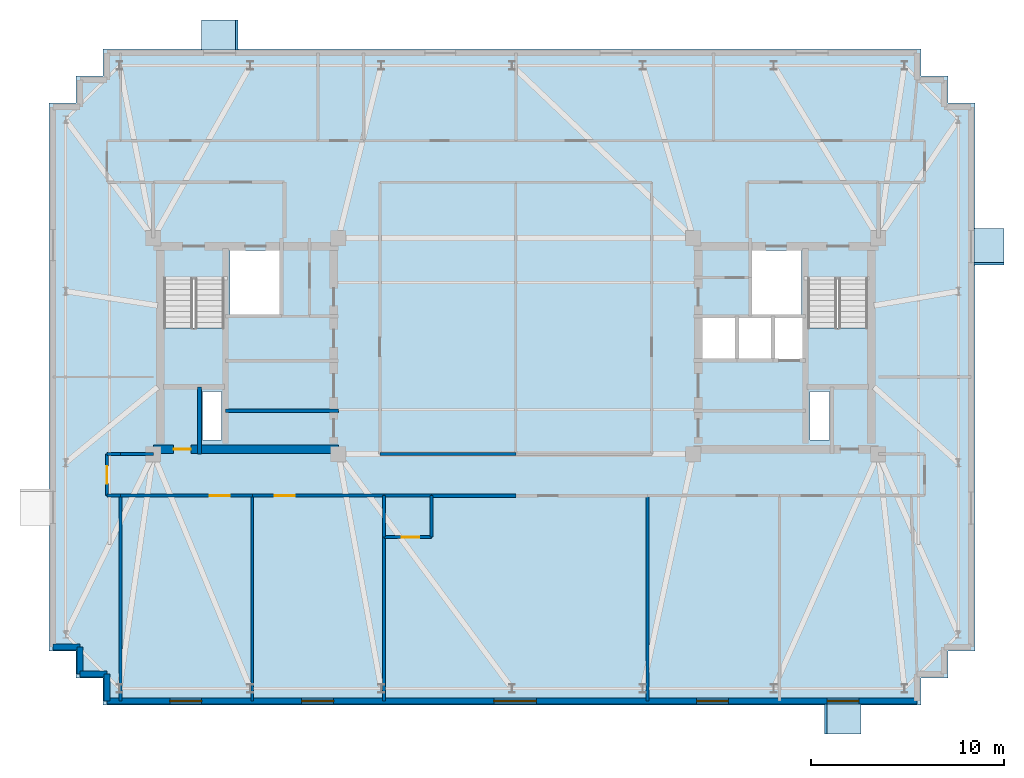
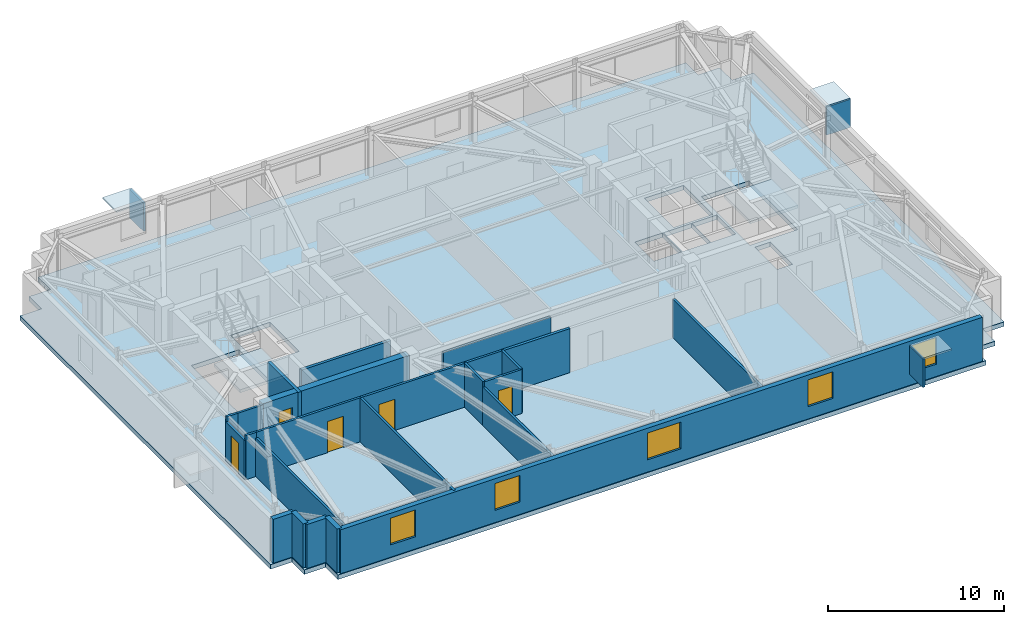
# One storey, part 5 of 10: 24 walls, 6 plates, 5 doors, 5 windows, 3 slabs, 10 openings, 2 elements without a shape of their own.
"""IFC4 building model written with IfcOpenShell, lengths in metres."""

import ifcopenshell
import ifcopenshell.guid

model = None  # the IFC model being written
_history = None  # IfcOwnerHistory: only IFC2X3 demands one
_inside = {}  # id of a spatial element -> (the spatial element, [elements in it])
_under = {}  # id of a project, library or spatial element -> (it, [spatial elements below it])
_declared = {}  # id of a project -> (the project, [libraries it declares])
_typed = {}  # id of a type object -> (the type object, [elements of that type])
_made_of = {}  # id of a material, layer set ... -> (it, [elements and type objects made of it])


def new_model(schema):
    """Start an empty IFC model of exactly this schema.

    Asked for "IFC4X3", IfcOpenShell would pick the latest addendum, in which some entities
    have other attributes; the version numbers below select the first issue.
    IFC2X3 requires an IfcOwnerHistory on every rooted entity: one is made here for all.
    """
    global model, _history
    if schema == "IFC4X3":
        model = ifcopenshell.file(schema_version=(4, 3, 0, 0))
    else:
        model = ifcopenshell.file(schema=schema)
    _inside.clear()
    _under.clear()
    _declared.clear()
    _typed.clear()
    _made_of.clear()
    _history = None
    if model.schema == "IFC2X3":
        org = make("IfcOrganization", Name="unknown")
        user = make(
            "IfcPersonAndOrganization",
            ThePerson=make("IfcPerson", FamilyName="unknown"),
            TheOrganization=org,
        )
        app = make(
            "IfcApplication",
            ApplicationDeveloper=org,
            Version="unknown",
            ApplicationFullName="unknown",
            ApplicationIdentifier="unknown",
        )
        _history = make(
            "IfcOwnerHistory",
            OwningUser=user,
            OwningApplication=app,
            ChangeAction="ADDED",
            CreationDate=0,
        )
    return model


def make(cls, **values):
    """One entity of the class cls with the attributes given. An attribute that is None is left unset."""
    return model.create_entity(
        cls, **{name: value for name, value in values.items() if value is not None}
    )


def rooted(cls, **values):
    """An entity with a GlobalId (a new one), such as an element, a storey or a relation."""
    return make(cls, GlobalId=ifcopenshell.guid.new(), OwnerHistory=_history, **values)


def si_unit(unit_type, name, prefix=None):
    """IfcSIUnit, for example si_unit("LENGTHUNIT", "METRE", prefix="MILLI")."""
    return make("IfcSIUnit", UnitType=unit_type, Prefix=prefix, Name=name)


def assignment(units):
    """IfcUnitAssignment: the units of a project."""
    return None if units is None else make("IfcUnitAssignment", Units=units)


def point(xyz):
    """IfcCartesianPoint."""
    return None if xyz is None else make("IfcCartesianPoint", Coordinates=xyz)


def direction(xyz):
    """IfcDirection."""
    return None if xyz is None else make("IfcDirection", DirectionRatios=xyz)


def frame(location, z_axis=None, x_axis=None):
    """IfcAxis2Placement3D, a coordinate frame: its origin and axes. An axis left out is left unset."""
    return make(
        "IfcAxis2Placement3D",
        Location=point(location),
        Axis=direction(z_axis),
        RefDirection=direction(x_axis),
    )


def frame_2d(location, x_axis=None):
    """IfcAxis2Placement2D, a coordinate frame in the plane: its origin and x axis."""
    return make(
        "IfcAxis2Placement2D", Location=point(location), RefDirection=direction(x_axis)
    )


def origin():
    """The frame at (0, 0, 0) with its axes left unset."""
    return frame((0.0, 0.0, 0.0))


def origin_2d():
    """The frame at (0, 0) in the plane with its x axis left unset."""
    return frame_2d((0.0, 0.0))


def place(relative_to, where):
    """IfcLocalPlacement: puts the frame where relative to a parent placement (None: the world)."""
    return make(
        "IfcLocalPlacement", PlacementRelTo=relative_to, RelativePlacement=where
    )


def context(
    kind, dimensions, precision=None, world=None, true_north=None, identifier=None
):
    """IfcGeometricRepresentationContext, for example the 3D "Model" context."""
    return make(
        "IfcGeometricRepresentationContext",
        ContextIdentifier=identifier,
        ContextType=kind,
        CoordinateSpaceDimension=dimensions,
        Precision=precision,
        WorldCoordinateSystem=world,
        TrueNorth=true_north,
    )


def subcontext(parent, identifier, kind, view, scale=None):
    """IfcGeometricRepresentationSubContext, for example "Body" below "Model"."""
    return make(
        "IfcGeometricRepresentationSubContext",
        ContextIdentifier=identifier,
        ContextType=kind,
        ParentContext=parent,
        TargetScale=scale,
        TargetView=view,
    )


def project(units=None, contexts=None):
    """IfcProject with its units and contexts."""
    return rooted(
        "IfcProject",
        Name="project",
        RepresentationContexts=contexts,
        UnitsInContext=assignment(units),
    )


def spatial(cls, under=None, at=None, **own):
    """A site, building, storey or space (cls), placed at a placement, below another one or the project."""
    s = rooted(cls, ObjectPlacement=at, **own)
    if under is not None:
        _under.setdefault(under.id(), (under, []))[1].append(s)
    return s


def polyline(points):
    """IfcPolyline through the points."""
    return make("IfcPolyline", Points=[point(p) for p in points])


def profile(cls, at=None, kind="AREA", **sizes):
    """A parametric profile (cls). Its sizes go by their IFC names, for example OverallWidth=200.0."""
    return make(cls, ProfileType=kind, Position=at, **sizes)


def rectangle(**sizes):
    """IfcRectangleProfileDef."""
    return profile("IfcRectangleProfileDef", **sizes)


def outline(outer, holes=None, kind="AREA"):
    """IfcArbitraryClosedProfileDef: a profile drawn as a closed curve; with holes, ...WithVoids."""
    if holes is None:
        return make("IfcArbitraryClosedProfileDef", ProfileType=kind, OuterCurve=outer)
    return make(
        "IfcArbitraryProfileDefWithVoids",
        ProfileType=kind,
        OuterCurve=outer,
        InnerCurves=holes,
    )


def extrude(swept, where, along, depth):
    """IfcExtrudedAreaSolid: the profile swept, set in the frame where, extruded along a direction by depth."""
    return make(
        "IfcExtrudedAreaSolid",
        SweptArea=swept,
        Position=where,
        ExtrudedDirection=direction(along),
        Depth=depth,
    )


def shape(context_of_items, identifier, shape_type, items):
    """IfcShapeRepresentation: the items that make up one representation, for example the "Body"."""
    return make(
        "IfcShapeRepresentation",
        ContextOfItems=context_of_items,
        RepresentationIdentifier=identifier,
        RepresentationType=shape_type,
        Items=items,
    )


def material(Name=None, Category=None):
    """IfcMaterial."""
    return make("IfcMaterial", Name=Name, Category=Category)


def layer(
    of_material, thickness, ventilated=None, Name=None, Category=None, Priority=None
):
    """IfcMaterialLayer: one layer of a wall or slab, of a material (None: an air gap)."""
    return make(
        "IfcMaterialLayer",
        Material=of_material,
        LayerThickness=thickness,
        IsVentilated=ventilated,
        Name=Name,
        Category=Category,
        Priority=Priority,
    )


def layer_set(layers, Name=None):
    """IfcMaterialLayerSet."""
    return make("IfcMaterialLayerSet", MaterialLayers=layers, LayerSetName=Name)


def made_of(thing, what):
    """Note that an element or type object is made of a material, layer set ...; save() writes the relation."""
    if what is not None:
        _made_of.setdefault(what.id(), (what, []))[1].append(thing)
    return thing


def type_object(cls, material=None, **own):
    """A type object (cls), such as IfcWallType, which elements share."""
    return made_of(rooted(cls, **own), material)


def element(
    cls,
    number,
    at=None,
    inside=None,
    cuts=None,
    type_object=None,
    material=None,
    context=None,
    identifier="Body",
    shape_type=None,
    held_by="IfcProductDefinitionShape",
    body=None,
    shapes=None,
    **own,
):
    """One element of the class cls, such as IfcWall. Its Tag is "e" and its number.

    at: its placement. inside: the storey or other place that contains it. cuts: it is an
    opening in that element (IfcRelVoidsElement). A single representation is given by context,
    identifier, shape_type and body (its items); several are given by shapes. held_by: the class
    of the entity that holds the representations. save() writes the other relations.
    """
    e = rooted(cls, Tag="e%d" % number, ObjectPlacement=at, **own)
    if body is not None:
        shapes = [shape(context, identifier, shape_type, body)]
    if shapes is not None:
        e.Representation = make(held_by, Representations=shapes)
    if inside is not None:
        _inside.setdefault(inside.id(), (inside, []))[1].append(e)
    if cuts is not None:
        rooted(
            "IfcRelVoidsElement", RelatingBuildingElement=cuts, RelatedOpeningElement=e
        )
    if type_object is not None:
        _typed.setdefault(type_object.id(), (type_object, []))[1].append(e)
    return made_of(e, material)


def fill(opening, filler):
    """IfcRelFillsElement: the door or window that sits in an opening."""
    return rooted(
        "IfcRelFillsElement",
        RelatingOpeningElement=opening,
        RelatedBuildingElement=filler,
    )


def aggregate(whole, parts):
    """IfcRelAggregates: a whole, such as a stair, and the parts it consists of."""
    return rooted("IfcRelAggregates", RelatingObject=whole, RelatedObjects=parts)


def save(model, path):
    """Write the relations noted so far, then the file.

    IfcRelAggregates (storeys below a building ...), IfcRelContainedInSpatialStructure (elements
    in a storey), IfcRelDefinesByType, IfcRelAssociatesMaterial and IfcRelDeclares: one each for
    every whole, place, type object, material and project.
    """
    for whole, parts in _under.values():
        aggregate(whole, parts)
    for where, things in _inside.values():
        rooted(
            "IfcRelContainedInSpatialStructure",
            RelatedElements=things,
            RelatingStructure=where,
        )
    for kind, things in _typed.values():
        rooted("IfcRelDefinesByType", RelatedObjects=things, RelatingType=kind)
    for what, things in _made_of.values():
        rooted("IfcRelAssociatesMaterial", RelatedObjects=things, RelatingMaterial=what)
    for by, libraries in _declared.values():
        rooted("IfcRelDeclares", RelatingContext=by, RelatedDefinitions=libraries)
    model.write(path)


model = new_model("IFC4")

# Units and contexts
model_context = context("Model", 3, precision=1e-05, world=origin(), true_north=direction((0.0, 1.0)))
body_context = subcontext(model_context, "Body", "Model", "MODEL_VIEW")
ifc_project = project(units=[si_unit("LENGTHUNIT", "METRE"), si_unit("AREAUNIT", "SQUARE_METRE"), si_unit("VOLUMEUNIT", "CUBIC_METRE"), si_unit("PLANEANGLEUNIT", "RADIAN"), si_unit("MASSUNIT", "GRAM", prefix="KILO")], contexts=[model_context])

# Site, building, storey
site_placement = place(None, origin())
site = spatial("IfcSite", under=ifc_project, at=site_placement, CompositionType="ELEMENT")
building_placement = place(site_placement, origin())
building = spatial("IfcBuilding", under=site, at=building_placement, Name="Qobustan Lattice House", CompositionType="ELEMENT")
storey_placement = place(building_placement, frame((0.0, 0.0, 238.35009765625)))
storey = spatial("IfcBuildingStorey", under=building, at=storey_placement, Name="L67", CompositionType="ELEMENT", Elevation=238.35009765625)

# Plates
ifc_material_1 = material(Name="Qobustan limestone GFRC", Category="masonry")
ifc_layer_1 = layer(ifc_material_1, 0.1201171875)
ifc_layer_set_1 = layer_set([ifc_layer_1], Name="Qobustan limestone GFRC")
plate_type = type_object("IfcPlateType", Name="SHD-HOOD-BROW", PredefinedType="USERDEFINED", material=ifc_layer_set_1)
plate_1_placement = place(storey_placement, frame((-15.360107421875, 16.1298828125, 2.699951171875), z_axis=(0.0, 0.0, 1.0), x_axis=(1.0, 0.0, 0.0)))
element("IfcPlate", 1, at=plate_1_placement, inside=storey, type_object=plate_type, Name="L67 splayed Qobustan stone hood brow", ObjectType="SUNSHADE", PredefinedType="USERDEFINED", context=body_context, shape_type="SweptSolid", body=[
    extrude(rectangle(XDim=1.889892578125, YDim=1.56005859375, at=origin_2d()), origin(), (0.0, 0.0, 1.0), 0.1201171875),
])
plate_2_placement = place(storey_placement, frame((-14.47509765625, 16.1298828125, 0.7900390625), z_axis=(0.0, 0.0, 1.0), x_axis=(1.0, 0.0, 0.0)))
element("IfcPlate", 2, at=plate_2_placement, inside=storey, type_object=plate_type, Name="L67 splayed Qobustan stone hood cheek", ObjectType="SUNSHADE", PredefinedType="USERDEFINED", context=body_context, shape_type="SweptSolid", body=[
    extrude(rectangle(XDim=0.1201171875, YDim=1.56005859375, at=origin_2d()), origin(), (0.0, 0.0, 1.0), 1.969970703125),
])
plate_3_placement = place(storey_placement, frame((24.530029296875, 5.159912109375, 2.699951171875), z_axis=(0.0, 0.0, 1.0), x_axis=(0.0, -1.0, 0.0)))
element("IfcPlate", 3, at=plate_3_placement, inside=storey, type_object=plate_type, Name="L67 splayed Qobustan stone hood brow", ObjectType="SUNSHADE", PredefinedType="USERDEFINED", context=body_context, shape_type="SweptSolid", body=[
    extrude(rectangle(XDim=1.889892578125, YDim=1.56005859375, at=origin_2d()), origin(), (0.0, 0.0, 1.0), 0.1201171875),
])
plate_4_placement = place(storey_placement, frame((24.530029296875, 4.27490234375, 0.7900390625), z_axis=(0.0, 0.0, 1.0), x_axis=(0.0, -1.0, 0.0)))
element("IfcPlate", 4, at=plate_4_placement, inside=storey, type_object=plate_type, Name="L67 splayed Qobustan stone hood cheek", ObjectType="SUNSHADE", PredefinedType="USERDEFINED", context=body_context, shape_type="SweptSolid", body=[
    extrude(rectangle(XDim=0.1201171875, YDim=1.56005859375, at=origin_2d()), origin(), (0.0, 0.0, 1.0), 1.969970703125),
])
plate_5_placement = place(storey_placement, frame((16.9599609375, -19.330078125, 2.699951171875), z_axis=(0.0, 0.0, 1.0), x_axis=(-1.0, 0.0, 0.0)))
element("IfcPlate", 5, at=plate_5_placement, inside=storey, type_object=plate_type, Name="L67 splayed Qobustan stone hood brow", ObjectType="SUNSHADE", PredefinedType="USERDEFINED", context=body_context, shape_type="SweptSolid", body=[
    extrude(rectangle(XDim=1.889892578125, YDim=1.56005859375, at=origin_2d()), origin(), (0.0, 0.0, 1.0), 0.1201171875),
])
plate_6_placement = place(storey_placement, frame((16.074951171875, -19.330078125, 0.7900390625), z_axis=(0.0, 0.0, 1.0), x_axis=(-1.0, 0.0, 0.0)))
element("IfcPlate", 6, at=plate_6_placement, inside=storey, type_object=plate_type, Name="L67 splayed Qobustan stone hood cheek", ObjectType="SUNSHADE", PredefinedType="USERDEFINED", context=body_context, shape_type="SweptSolid", body=[
    extrude(rectangle(XDim=0.1201171875, YDim=1.56005859375, at=origin_2d()), origin(), (0.0, 0.0, 1.0), 1.969970703125),
])

# Slab
ifc_material_2 = material(Name="Concrete C40/50", Category="concrete")
ifc_layer_2 = layer(ifc_material_2, 0.31005859375)
ifc_layer_set_2 = layer_set([ifc_layer_2], Name="Concrete C40/50")
slab_type_1 = type_object("IfcSlabType", Name="SLB-FLR-310", PredefinedType="FLOOR", material=ifc_layer_set_2)
slab_1_placement = place(storey_placement, frame((0.0, 0.0, -0.31005859375)))
element("IfcSlab", 7, at=slab_1_placement, inside=storey, type_object=slab_type_1, Name="L67 structural floor slab", PredefinedType="FLOOR", context=body_context, shape_type="SweptSolid", body=[
    extrude(outline(polyline([(-21.39990234375, -18.60009765625), (21.0, -18.60009765625), (21.0, -17.199951171875), (22.39990234375, -17.199951171875), (22.39990234375, -15.800048828125), (23.800048828125, -15.800048828125), (23.800048828125, 12.60009765625), (22.39990234375, 12.60009765625), (22.39990234375, 14.0), (21.0, 14.0), (21.0, 15.39990234375), (-21.39990234375, 15.39990234375), (-21.39990234375, 14.0), (-22.800048828125, 14.0), (-22.800048828125, 12.60009765625), (-24.199951171875, 12.60009765625), (-24.199951171875, -15.800048828125), (-22.800048828125, -15.800048828125), (-22.800048828125, -17.199951171875), (-21.39990234375, -17.199951171875), (-21.39990234375, -18.60009765625)]), holes=[polyline([(-18.25, -2.050048828125), (-18.25, 3.489990234375), (-15.1298828125, 3.489990234375), (-15.1298828125, -2.050048828125), (-18.25, -2.050048828125)]), polyline([(15.1298828125, -2.050048828125), (15.1298828125, 3.489990234375), (18.25, 3.489990234375), (18.25, -2.050048828125), (15.1298828125, -2.050048828125)]), polyline([(-14.820068359375, 1.64990234375), (-14.820068359375, 4.9599609375), (-12.25, 4.9599609375), (-12.25, 1.64990234375), (-14.820068359375, 1.64990234375)]), polyline([(12.25, 1.64990234375), (12.25, 4.9599609375), (14.820068359375, 4.9599609375), (14.820068359375, 1.64990234375), (12.25, 1.64990234375)]), polyline([(-16.260009765625, -4.8798828125), (-16.260009765625, -2.360107421875), (-15.260009765625, -2.360107421875), (-15.260009765625, -4.8798828125), (-16.260009765625, -4.8798828125)]), polyline([(15.260009765625, -4.8798828125), (15.260009765625, -2.360107421875), (16.260009765625, -2.360107421875), (16.260009765625, -4.8798828125), (15.260009765625, -4.8798828125)]), polyline([(13.360107421875, -0.679931640625), (13.360107421875, 1.47998046875), (14.97998046875, 1.47998046875), (14.97998046875, -0.679931640625), (13.360107421875, -0.679931640625)]), polyline([(9.6201171875, -0.679931640625), (9.6201171875, 1.47998046875), (11.43994140625, 1.47998046875), (11.43994140625, -0.679931640625), (9.6201171875, -0.679931640625)]), polyline([(11.5, -0.679931640625), (11.5, 1.47998046875), (13.320068359375, 1.47998046875), (13.320068359375, -0.679931640625), (11.5, -0.679931640625)])]), origin(), (0.0, 0.0, 1.0), 0.31005859375),
])

# Stair, slab
ifc_material_3 = material(Name="Concrete C40/50", Category="concrete")
stair_type = type_object("IfcStairType", Name="STR-CORE-DOGLEG", PredefinedType="HALF_TURN_STAIR", material=ifc_material_3)
stair_1_placement = place(storey_placement, origin())
stair_1 = element("IfcStair", 8, at=stair_1_placement, inside=storey, type_object=stair_type, Name="L67 West protected exit stair ST-W1", PredefinedType="HALF_TURN_STAIR")
ifc_material_4 = material(Name="Concrete C40/50", Category="concrete")
ifc_layer_3 = layer(ifc_material_4, 0.199951171875)
ifc_layer_set_3 = layer_set([ifc_layer_3], Name="Concrete C40/50")
slab_type_2 = type_object("IfcSlabType", Name="SLB-LANDING-200", PredefinedType="LANDING", material=ifc_layer_set_3)
slab_2_placement = place(storey_placement, frame((0.0, 0.0, 1.474853515625)))
slab_2 = element("IfcSlab", 9, at=slab_2_placement, type_object=slab_type_2, Name="ST-W1 landing 1", PredefinedType="LANDING", context=body_context, shape_type="SweptSolid", body=[
    extrude(outline(polyline([(-18.25, 0.93505859375), (-18.25, -2.050048828125), (-15.1298828125, -2.050048828125), (-15.1298828125, 0.93505859375), (-18.25, 0.93505859375)])), origin(), (0.0, 0.0, 1.0), 0.199951171875),
])
aggregate(stair_1, [slab_2])

stair_2_placement = place(storey_placement, origin())
stair_2 = element("IfcStair", 10, at=stair_2_placement, inside=storey, type_object=stair_type, Name="L67 East protected exit stair ST-E1", PredefinedType="HALF_TURN_STAIR")
slab_3_placement = place(storey_placement, frame((0.0, 0.0, 1.474853515625)))
slab_3 = element("IfcSlab", 11, at=slab_3_placement, type_object=slab_type_2, Name="ST-E1 landing 1", PredefinedType="LANDING", context=body_context, shape_type="SweptSolid", body=[
    extrude(outline(polyline([(15.1298828125, 0.93505859375), (15.1298828125, -2.050048828125), (18.25, -2.050048828125), (18.25, 0.93505859375), (15.1298828125, 0.93505859375)])), origin(), (0.0, 0.0, 1.0), 0.199951171875),
])
aggregate(stair_2, [slab_3])

# Wall, opening, door
ifc_material_5 = material(Name="Concrete C50/60", Category="concrete")
ifc_layer_4 = layer(ifc_material_5, 0.43994140625)
ifc_layer_set_4 = layer_set([ifc_layer_4], Name="Concrete C50/60")
wall_type_1 = type_object("IfcWallType", Name="WAL-CORE-440", PredefinedType="SHEAR", material=ifc_layer_set_4)
wall_1_placement = place(storey_placement, frame((-18.800048828125, -5.35009765625, 0.0), z_axis=(0.0, 0.0, 1.0), x_axis=(1.0, 0.0, 0.0)))
wall_1 = element("IfcWall", 12, at=wall_1_placement, inside=storey, type_object=wall_type_1, Name="L67 split-core shear wall CW-S", PredefinedType="SHEAR", context=body_context, shape_type="SweptSolid", body=[
    extrude(rectangle(XDim=9.60009765625, YDim=0.43994140625, at=frame_2d((4.800048828125, 0.0))), origin(), (0.0, 0.0, 1.0), 3.039794921875),
])
opening_1_placement = place(wall_1_placement, frame((1.050048828125, 0.0, 0.0)))
opening_1 = element("IfcOpeningElement", 13, at=opening_1_placement, cuts=wall_1, Name="Opening RD-01", PredefinedType="OPENING", context=body_context, shape_type="SweptSolid", body=[
    extrude(rectangle(XDim=0.89990234375, YDim=2.10009765625, at=frame_2d((0.449951171875, 1.050048828125))), frame((0.0, 0.22998046875, 0.0), z_axis=(0.0, -1.0, 0.0), x_axis=(1.0, 0.0, 0.0)), (0.0, 0.0, 1.0), 0.4599609375),
])
ifc_material_6 = material(Name="Persian walnut timber and steel frame door", Category="steel")
door_type_1 = type_object("IfcDoorType", Name="DOR-RISER-FD-900x2100", OperationType="NOTDEFINED", PredefinedType="DOOR", material=ifc_material_6)
door_1_placement = place(opening_1_placement, origin())
door_1 = element("IfcDoor", 14, at=door_1_placement, inside=storey, type_object=door_type_1, Name="L67 core service riser access door W", OperationType="SINGLE_SWING_RIGHT", OverallHeight=2.10009765625, OverallWidth=0.89990234375, PredefinedType="DOOR", context=body_context, shape_type="SweptSolid", body=[
    extrude(rectangle(XDim=0.89990234375, YDim=2.10009765625, at=frame_2d((0.449951171875, 1.050048828125))), frame((0.0, 0.02490234375, 0.0), z_axis=(0.0, -1.0, 0.0), x_axis=(1.0, 0.0, 0.0)), (0.0, 0.0, 1.0), 0.050048828125),
])
fill(opening_1, door_1)

# Walls
ifc_material_7 = material(Name="Precast concrete C40/50", Category="concrete")
ifc_layer_5 = layer(ifc_material_7, 0.320068359375)
ifc_layer_set_5 = layer_set([ifc_layer_5], Name="Precast concrete C40/50")
wall_type_2 = type_object("IfcWallType", Name="WAL-EXT-STONE-320", PredefinedType="SOLIDWALL", material=ifc_layer_set_5)
wall_2_placement = place(storey_placement, frame((-21.199951171875, -18.39990234375, 0.0), z_axis=(0.0, 0.0, 1.0), x_axis=(0.0, 1.0, 0.0)))
element("IfcWall", 15, at=wall_2_placement, inside=storey, type_object=wall_type_2, Name="L67 exterior limestone-clad wall 1", PredefinedType="SOLIDWALL", context=body_context, shape_type="SweptSolid", body=[
    extrude(rectangle(XDim=1.39990234375, YDim=0.320068359375, at=frame_2d((0.699951171875, 0.0))), origin(), (0.0, 0.0, 1.0), 3.039794921875),
])
wall_3_placement = place(storey_placement, frame((-21.199951171875, -17.0, 0.0), z_axis=(0.0, 0.0, 1.0), x_axis=(-1.0, 0.0, 0.0)))
element("IfcWall", 16, at=wall_3_placement, inside=storey, type_object=wall_type_2, Name="L67 exterior limestone-clad wall 2", PredefinedType="SOLIDWALL", context=body_context, shape_type="SweptSolid", body=[
    extrude(rectangle(XDim=1.400146484375, YDim=0.320068359375, at=frame_2d((0.7001953125, 0.0))), origin(), (0.0, 0.0, 1.0), 3.039794921875),
])
for number, where, z_axis, x_axis, name in (
    (17, (-22.60009765625, -17.0, 0.0), (0.0, 0.0, 1.0), (0.0, 1.0, 0.0), "L67 exterior limestone-clad wall 3"),
    (18, (-22.60009765625, -15.60009765625, 0.0), (0.0, 0.0, 1.0), (-1.0, 0.0, 0.0), "L67 exterior limestone-clad wall 4"),
):
    element("IfcWall", number, at=place(storey_placement, frame(where, z_axis=z_axis, x_axis=x_axis)), inside=storey, type_object=wall_type_2, Name=name, PredefinedType="SOLIDWALL", context=body_context, shape_type="SweptSolid", body=[
        extrude(rectangle(XDim=1.39990234375, YDim=0.320068359375, at=frame_2d((0.699951171875, 0.0))), origin(), (0.0, 0.0, 1.0), 3.039794921875),
    ])

# Wall, openings, windows
wall_4_placement = place(storey_placement, frame((20.800048828125, -18.39990234375, 0.0), z_axis=(0.0, 0.0, 1.0), x_axis=(-1.0, 0.0, 0.0)))
wall_4 = element("IfcWall", 19, at=wall_4_placement, inside=storey, type_object=wall_type_2, Name="L67 exterior limestone-clad wall 20", PredefinedType="SOLIDWALL", context=body_context, shape_type="SweptSolid", body=[
    extrude(rectangle(XDim=42.0, YDim=0.320068359375, at=frame_2d((21.0, 0.0))), origin(), (0.0, 0.0, 1.0), 3.039794921875),
])
opening_2_placement = place(wall_4_placement, frame((3.014892578125, 0.0, 0.85009765625)))
opening_2 = element("IfcOpeningElement", 20, at=opening_2_placement, cuts=wall_4, Name="Opening WN-09", PredefinedType="OPENING", context=body_context, shape_type="SweptSolid", body=[
    extrude(rectangle(XDim=1.64990234375, YDim=1.85009765625, at=frame_2d((0.824951171875, 0.925048828125))), frame((0.0, 0.169921875, 0.0), z_axis=(0.0, -1.0, 0.0), x_axis=(1.0, 0.0, 0.0)), (0.0, 0.0, 1.0), 0.340087890625),
])
opening_3_placement = place(wall_4_placement, frame((9.77490234375, 0.0, 0.85009765625)))
opening_3 = element("IfcOpeningElement", 21, at=opening_3_placement, cuts=wall_4, Name="Opening WN-09", PredefinedType="OPENING", context=body_context, shape_type="SweptSolid", body=[
    extrude(rectangle(XDim=1.64990234375, YDim=1.85009765625, at=frame_2d((0.824951171875, 0.925048828125))), frame((0.0, 0.169921875, 0.0), z_axis=(0.0, -1.0, 0.0), x_axis=(1.0, 0.0, 0.0)), (0.0, 0.0, 1.0), 0.340087890625),
])
opening_4_placement = place(wall_4_placement, frame((19.739990234375, 0.0, 0.85009765625)))
opening_4 = element("IfcOpeningElement", 22, at=opening_4_placement, cuts=wall_4, Name="Opening WN-03", PredefinedType="OPENING", context=body_context, shape_type="SweptSolid", body=[
    extrude(rectangle(XDim=2.199951171875, YDim=1.85009765625, at=frame_2d((1.10009765625, 0.925048828125))), frame((0.0, 0.169921875, 0.0), z_axis=(0.0, -1.0, 0.0), x_axis=(1.0, 0.0, 0.0)), (0.0, 0.0, 1.0), 0.340087890625),
])
opening_5_placement = place(wall_4_placement, frame((30.2548828125, 0.0, 0.85009765625)))
opening_5 = element("IfcOpeningElement", 23, at=opening_5_placement, cuts=wall_4, Name="Opening WN-09", PredefinedType="OPENING", context=body_context, shape_type="SweptSolid", body=[
    extrude(rectangle(XDim=1.64990234375, YDim=1.85009765625, at=frame_2d((0.824951171875, 0.925048828125))), frame((0.0, 0.169921875, 0.0), z_axis=(0.0, -1.0, 0.0), x_axis=(1.0, 0.0, 0.0)), (0.0, 0.0, 1.0), 0.340087890625),
])
opening_6_placement = place(wall_4_placement, frame((37.094970703125, 0.0, 0.85009765625)))
opening_6 = element("IfcOpeningElement", 24, at=opening_6_placement, cuts=wall_4, Name="Opening WN-09", PredefinedType="OPENING", context=body_context, shape_type="SweptSolid", body=[
    extrude(rectangle(XDim=1.64990234375, YDim=1.85009765625, at=frame_2d((0.824951171875, 0.925048828125))), frame((0.0, 0.169921875, 0.0), z_axis=(0.0, -1.0, 0.0), x_axis=(1.0, 0.0, 0.0)), (0.0, 0.0, 1.0), 0.340087890625),
])
ifc_material_8 = material(Name="Double-glazed low-E aluminium window", Category="aluminium")
window_type_1 = type_object("IfcWindowType", Name="WIN-STU-1650x1850", PartitioningType="SINGLE_PANEL", PredefinedType="WINDOW", material=ifc_material_8)
window_1_placement = place(opening_2_placement, origin())
window_1 = element("IfcWindow", 25, at=window_1_placement, inside=storey, type_object=window_type_1, Name="L67 Academic seminar room window", OverallHeight=1.85009765625, OverallWidth=1.64990234375, PartitioningType="SINGLE_PANEL", PredefinedType="WINDOW", context=body_context, shape_type="SweptSolid", body=[
    extrude(rectangle(XDim=1.64990234375, YDim=1.85009765625, at=frame_2d((0.824951171875, 0.925048828125))), frame((0.0, 0.030029296875, 0.0), z_axis=(0.0, -1.0, 0.0), x_axis=(1.0, 0.0, 0.0)), (0.0, 0.0, 1.0), 0.06005859375),
])
fill(opening_2, window_1)
window_2_placement = place(opening_3_placement, origin())
window_2 = element("IfcWindow", 26, at=window_2_placement, inside=storey, type_object=window_type_1, Name="L67 Group study room window", OverallHeight=1.85009765625, OverallWidth=1.64990234375, PartitioningType="SINGLE_PANEL", PredefinedType="WINDOW", context=body_context, shape_type="SweptSolid", body=[
    extrude(rectangle(XDim=1.64990234375, YDim=1.85009765625, at=frame_2d((0.824951171875, 0.925048828125))), frame((0.0, 0.030029296875, 0.0), z_axis=(0.0, -1.0, 0.0), x_axis=(1.0, 0.0, 0.0)), (0.0, 0.0, 1.0), 0.06005859375),
])
fill(opening_3, window_2)
window_3_placement = place(opening_5_placement, origin())
window_3 = element("IfcWindow", 27, at=window_3_placement, inside=storey, type_object=window_type_1, Name="L67 Focus study room S1B window", OverallHeight=1.85009765625, OverallWidth=1.64990234375, PartitioningType="SINGLE_PANEL", PredefinedType="WINDOW", context=body_context, shape_type="SweptSolid", body=[
    extrude(rectangle(XDim=1.64990234375, YDim=1.85009765625, at=frame_2d((0.824951171875, 0.925048828125))), frame((0.0, 0.030029296875, 0.0), z_axis=(0.0, -1.0, 0.0), x_axis=(1.0, 0.0, 0.0)), (0.0, 0.0, 1.0), 0.06005859375),
])
fill(opening_5, window_3)
window_4_placement = place(opening_6_placement, origin())
window_4 = element("IfcWindow", 28, at=window_4_placement, inside=storey, type_object=window_type_1, Name="L67 Focus study room S1A window", OverallHeight=1.85009765625, OverallWidth=1.64990234375, PartitioningType="SINGLE_PANEL", PredefinedType="WINDOW", context=body_context, shape_type="SweptSolid", body=[
    extrude(rectangle(XDim=1.64990234375, YDim=1.85009765625, at=frame_2d((0.824951171875, 0.925048828125))), frame((0.0, 0.030029296875, 0.0), z_axis=(0.0, -1.0, 0.0), x_axis=(1.0, 0.0, 0.0)), (0.0, 0.0, 1.0), 0.06005859375),
])
fill(opening_6, window_4)
ifc_material_9 = material(Name="Double-glazed low-E aluminium window", Category="aluminium")
window_type_2 = type_object("IfcWindowType", Name="WIN-WIDE-2200x1850", PartitioningType="SINGLE_PANEL", PredefinedType="WINDOW", material=ifc_material_9)
window_5_placement = place(opening_4_placement, origin())
window_5 = element("IfcWindow", 29, at=window_5_placement, inside=storey, type_object=window_type_2, Name="L67 Kitchenette and studio apartment L67-S2 window", OverallHeight=1.85009765625, OverallWidth=2.199951171875, PartitioningType="SINGLE_PANEL", PredefinedType="WINDOW", context=body_context, shape_type="SweptSolid", body=[
    extrude(rectangle(XDim=2.199951171875, YDim=1.85009765625, at=frame_2d((1.10009765625, 0.925048828125))), frame((0.0, 0.030029296875, 0.0), z_axis=(0.0, -1.0, 0.0), x_axis=(1.0, 0.0, 0.0)), (0.0, 0.0, 1.0), 0.06005859375),
])
fill(opening_4, window_5)

# Walls
ifc_material_10 = material(Name="Gypsum fireboard acoustic partition", Category="gypsum")
ifc_layer_6 = layer(ifc_material_10, 0.179931640625)
ifc_layer_set_6 = layer_set([ifc_layer_6], Name="Gypsum fireboard acoustic partition")
wall_type_3 = type_object("IfcWallType", Name="WAL-FIRE-180", PredefinedType="PARTITIONING", material=ifc_layer_set_6)
wall_5_placement = place(storey_placement, frame((-15.050048828125, -3.35009765625, 0.0), z_axis=(0.0, 0.0, 1.0), x_axis=(1.0, 0.0, 0.0)))
element("IfcWall", 30, at=wall_5_placement, inside=storey, type_object=wall_type_3, Name="L67 interior partition 10", PredefinedType="PARTITIONING", context=body_context, shape_type="SweptSolid", body=[
    extrude(rectangle(XDim=5.85009765625, YDim=0.179931640625, at=frame_2d((2.925048828125, 0.0))), origin(), (0.0, 0.0, 1.0), 2.7548828125),
])
wall_6_placement = place(storey_placement, frame((0.0, -7.75, 0.0), z_axis=(0.0, 0.0, 1.0), x_axis=(-1.0, 0.0, 0.0)))
element("IfcWall", 31, at=wall_6_placement, inside=storey, type_object=wall_type_3, Name="L67 interior partition 52", PredefinedType="PARTITIONING", context=body_context, shape_type="SweptSolid", body=[
    extrude(rectangle(XDim=4.383056640625, YDim=0.179931640625, at=frame_2d((2.19140625, 0.0))), origin(), (0.0, 0.0, 1.0), 3.039794921875),
])

# Wall, opening, door
ifc_material_11 = material(Name="Acoustic twin-stud gypsum partition", Category="gypsum")
ifc_layer_7 = layer(ifc_material_11, 0.14990234375)
ifc_layer_set_7 = layer_set([ifc_layer_7], Name="Acoustic twin-stud gypsum partition")
wall_type_4 = type_object("IfcWallType", Name="WAL-PART-150", PredefinedType="PARTITIONING", material=ifc_layer_set_7)
wall_7_placement = place(storey_placement, frame((-21.199951171875, -7.75, 0.0), z_axis=(0.0, 0.0, 1.0), x_axis=(0.0, 1.0, 0.0)))
wall_7 = element("IfcWall", 32, at=wall_7_placement, inside=storey, type_object=wall_type_4, Name="L67 interior partition 46", PredefinedType="PARTITIONING", context=body_context, shape_type="SweptSolid", body=[
    extrude(rectangle(XDim=2.14990234375, YDim=0.14990234375, at=frame_2d((1.074951171875, 0.0))), origin(), (0.0, 0.0, 1.0), 2.69482421875),
])
opening_7_placement = place(wall_7_placement, frame((0.625, 0.0, 0.0)))
opening_7 = element("IfcOpeningElement", 33, at=opening_7_placement, cuts=wall_7, Name="Opening WD-01", PredefinedType="OPENING", context=body_context, shape_type="SweptSolid", body=[
    extrude(rectangle(XDim=0.89990234375, YDim=2.10009765625, at=frame_2d((0.449951171875, 1.050048828125))), frame((0.0, 0.0849609375, 0.0), z_axis=(0.0, -1.0, 0.0), x_axis=(1.0, 0.0, 0.0)), (0.0, 0.0, 1.0), 0.169921875),
])
ifc_material_12 = material(Name="Persian walnut timber and steel frame door", Category="steel")
door_type_2 = type_object("IfcDoorType", Name="DOR-WET-900x2100", OperationType="NOTDEFINED", PredefinedType="DOOR", material=ifc_material_12)
door_2_placement = place(opening_7_placement, origin())
door_2 = element("IfcDoor", 34, at=door_2_placement, inside=storey, type_object=door_type_2, Name="L67 South-west floor corridor to Academic seminar room door", OperationType="SINGLE_SWING_RIGHT", OverallHeight=2.10009765625, OverallWidth=0.89990234375, PredefinedType="DOOR", context=body_context, shape_type="SweptSolid", body=[
    extrude(rectangle(XDim=0.89990234375, YDim=2.10009765625, at=frame_2d((0.449951171875, 1.050048828125))), frame((0.0, 0.02490234375, 0.0), z_axis=(0.0, -1.0, 0.0), x_axis=(1.0, 0.0, 0.0)), (0.0, 0.0, 1.0), 0.050048828125),
])
fill(opening_7, door_2)

# Walls
wall_8_placement = place(storey_placement, frame((-20.5, -5.60009765625, 0.0), z_axis=(0.0, 0.0, 1.0), x_axis=(1.0, 0.0, 0.0)))
element("IfcWall", 35, at=wall_8_placement, inside=storey, type_object=wall_type_4, Name="L67 interior partition 47", PredefinedType="PARTITIONING", context=body_context, shape_type="SweptSolid", body=[
    extrude(rectangle(XDim=1.699951171875, YDim=0.14990234375, at=frame_2d((0.85009765625, 0.0))), origin(), (0.0, 0.0, 1.0), 3.039794921875),
])
for number, where, z_axis, x_axis, name in (
    (36, (-20.5, -7.75, 0.0), (0.0, 0.0, 1.0), (-1.0, 0.0, 0.0), "L67 interior partition 48"),
    (37, (-21.199951171875, -5.60009765625, 0.0), (0.0, 0.0, 1.0), (1.0, 0.0, 0.0), "L67 interior partition 49"),
):
    element("IfcWall", number, at=place(storey_placement, frame(where, z_axis=z_axis, x_axis=x_axis)), inside=storey, type_object=wall_type_4, Name=name, PredefinedType="PARTITIONING", context=body_context, shape_type="SweptSolid", body=[
        extrude(rectangle(XDim=0.699951171875, YDim=0.14990234375, at=frame_2d((0.35009765625, 0.0))), origin(), (0.0, 0.0, 1.0), 3.039794921875),
    ])

# Wall, opening, door
wall_9_placement = place(storey_placement, frame((-13.66650390625, -7.75, 0.0), z_axis=(0.0, 0.0, 1.0), x_axis=(-1.0, 0.0, 0.0)))
wall_9 = element("IfcWall", 38, at=wall_9_placement, inside=storey, type_object=wall_type_4, Name="L67 interior partition 50", PredefinedType="PARTITIONING", context=body_context, shape_type="SweptSolid", body=[
    extrude(rectangle(XDim=6.83349609375, YDim=0.14990234375, at=frame_2d((3.416748046875, 0.0))), origin(), (0.0, 0.0, 1.0), 3.039794921875),
])
opening_8_placement = place(wall_9_placement, frame((1.157958984375, 0.0, 0.0)))
opening_8 = element("IfcOpeningElement", 39, at=opening_8_placement, cuts=wall_9, Name="Opening ID-02", PredefinedType="OPENING", context=body_context, shape_type="SweptSolid", body=[
    extrude(rectangle(XDim=1.050048828125, YDim=2.14990234375, at=frame_2d((0.52490234375, 1.074951171875))), frame((0.0, 0.0849609375, 0.0), z_axis=(0.0, -1.0, 0.0), x_axis=(1.0, 0.0, 0.0)), (0.0, 0.0, 1.0), 0.169921875),
])
ifc_material_13 = material(Name="Persian walnut timber and steel frame door", Category="steel")
door_type_3 = type_object("IfcDoorType", Name="DOR-STUDY-1050x2150", OperationType="NOTDEFINED", PredefinedType="DOOR", material=ifc_material_13)
door_3_placement = place(opening_8_placement, origin())
door_3 = element("IfcDoor", 40, at=door_3_placement, inside=storey, type_object=door_type_3, Name="L67 South-west floor corridor to Focus study room S1A door", OperationType="SINGLE_SWING_LEFT", OverallHeight=2.14990234375, OverallWidth=1.050048828125, PredefinedType="DOOR", context=body_context, shape_type="SweptSolid", body=[
    extrude(rectangle(XDim=1.050048828125, YDim=2.14990234375, at=frame_2d((0.52490234375, 1.074951171875))), frame((0.0, 0.02490234375, 0.0), z_axis=(0.0, -1.0, 0.0), x_axis=(1.0, 0.0, 0.0)), (0.0, 0.0, 1.0), 0.050048828125),
])
fill(opening_8, door_3)

wall_10_placement = place(storey_placement, frame((-6.8330078125, -7.75, 0.0), z_axis=(0.0, 0.0, 1.0), x_axis=(-1.0, 0.0, 0.0)))
wall_10 = element("IfcWall", 41, at=wall_10_placement, inside=storey, type_object=wall_type_4, Name="L67 interior partition 51", PredefinedType="PARTITIONING", context=body_context, shape_type="SweptSolid", body=[
    extrude(rectangle(XDim=6.83349609375, YDim=0.14990234375, at=frame_2d((3.416748046875, 0.0))), origin(), (0.0, 0.0, 1.0), 3.039794921875),
])
opening_9_placement = place(wall_10_placement, frame((4.62548828125, 0.0, 0.0)))
opening_9 = element("IfcOpeningElement", 42, at=opening_9_placement, cuts=wall_10, Name="Opening ID-02", PredefinedType="OPENING", context=body_context, shape_type="SweptSolid", body=[
    extrude(rectangle(XDim=1.050048828125, YDim=2.14990234375, at=frame_2d((0.52490234375, 1.074951171875))), frame((0.0, 0.0849609375, 0.0), z_axis=(0.0, -1.0, 0.0), x_axis=(1.0, 0.0, 0.0)), (0.0, 0.0, 1.0), 0.169921875),
])
door_4_placement = place(opening_9_placement, origin())
door_4 = element("IfcDoor", 43, at=door_4_placement, inside=storey, type_object=door_type_3, Name="L67 South-west floor corridor to Focus study room S1B door", OperationType="SINGLE_SWING_RIGHT", OverallHeight=2.14990234375, OverallWidth=1.050048828125, PredefinedType="DOOR", context=body_context, shape_type="SweptSolid", body=[
    extrude(rectangle(XDim=1.050048828125, YDim=2.14990234375, at=frame_2d((0.52490234375, 1.074951171875))), frame((0.0, 0.02490234375, 0.0), z_axis=(0.0, -1.0, 0.0), x_axis=(1.0, 0.0, 0.0)), (0.0, 0.0, 1.0), 0.050048828125),
])
fill(opening_9, door_4)

# Walls
wall_11_placement = place(storey_placement, frame((-7.050048828125, -5.60009765625, 0.0), z_axis=(0.0, 0.0, 1.0), x_axis=(1.0, 0.0, 0.0)))
element("IfcWall", 44, at=wall_11_placement, inside=storey, type_object=wall_type_4, Name="L67 interior partition 54", PredefinedType="PARTITIONING", context=body_context, shape_type="SweptSolid", body=[
    extrude(rectangle(XDim=7.050048828125, YDim=0.14990234375, at=frame_2d((3.52490234375, 0.0))), origin(), (0.0, 0.0, 1.0), 2.52490234375),
])
wall_12_placement = place(storey_placement, frame((-20.5, -7.75, 0.0), z_axis=(0.0, 0.0, 1.0), x_axis=(0.0, -1.0, 0.0)))
element("IfcWall", 45, at=wall_12_placement, inside=storey, type_object=wall_type_4, Name="L67 interior partition 66", PredefinedType="PARTITIONING", context=body_context, shape_type="SweptSolid", body=[
    extrude(rectangle(XDim=10.64990234375, YDim=0.14990234375, at=frame_2d((5.324951171875, 0.0))), origin(), (0.0, 0.0, 1.0), 2.664794921875),
])
wall_13_placement = place(storey_placement, frame((-13.66650390625, -7.75, 0.0), z_axis=(0.0, 0.0, 1.0), x_axis=(0.0, -1.0, 0.0)))
element("IfcWall", 46, at=wall_13_placement, inside=storey, type_object=wall_type_4, Name="L67 interior partition 75", PredefinedType="PARTITIONING", context=body_context, shape_type="SweptSolid", body=[
    extrude(rectangle(XDim=10.64990234375, YDim=0.14990234375, at=frame_2d((5.324951171875, 0.0))), origin(), (0.0, 0.0, 1.0), 3.039794921875),
])
wall_14_placement = place(storey_placement, frame((-6.8330078125, -9.89990234375, 0.0), z_axis=(0.0, 0.0, 1.0), x_axis=(0.0, -1.0, 0.0)))
element("IfcWall", 47, at=wall_14_placement, inside=storey, type_object=wall_type_4, Name="L67 interior partition 76", PredefinedType="PARTITIONING", context=body_context, shape_type="SweptSolid", body=[
    extrude(rectangle(XDim=8.5, YDim=0.14990234375, at=frame_2d((4.25, 0.0))), origin(), (0.0, 0.0, 1.0), 2.664794921875),
])
wall_15_placement = place(storey_placement, frame((6.8330078125, -7.75, 0.0), z_axis=(0.0, 0.0, 1.0), x_axis=(0.0, -1.0, 0.0)))
element("IfcWall", 48, at=wall_15_placement, inside=storey, type_object=wall_type_4, Name="L67 interior partition 80", PredefinedType="PARTITIONING", context=body_context, shape_type="SweptSolid", body=[
    extrude(rectangle(XDim=10.64990234375, YDim=0.14990234375, at=frame_2d((5.324951171875, 0.0))), origin(), (0.0, 0.0, 1.0), 2.664794921875),
])
ifc_material_14 = material(Name="Concrete C40/50", Category="concrete")
ifc_layer_8 = layer(ifc_material_14, 0.199951171875)
ifc_layer_set_8 = layer_set([ifc_layer_8], Name="Concrete C40/50")
wall_type_5 = type_object("IfcWallType", Name="WAL-SHAFT-200", PredefinedType="PARTITIONING", material=ifc_layer_set_8)
wall_16_placement = place(storey_placement, frame((-16.39990234375, -5.60009765625, 0.0), z_axis=(0.0, 0.0, 1.0), x_axis=(0.0, 1.0, 0.0)))
element("IfcWall", 49, at=wall_16_placement, inside=storey, type_object=wall_type_5, Name="L67 interior partition 1", PredefinedType="PARTITIONING", context=body_context, shape_type="SweptSolid", body=[
    extrude(rectangle(XDim=3.489990234375, YDim=0.199951171875, at=frame_2d((1.7451171875, 0.0))), origin(), (0.0, 0.0, 1.0), 3.039794921875),
])
ifc_material_15 = material(Name="Moisture-resistant acoustic plumbing wall", Category="gypsum")
ifc_layer_9 = layer(ifc_material_15, 0.14990234375)
ifc_layer_set_9 = layer_set([ifc_layer_9], Name="Moisture-resistant acoustic plumbing wall")
wall_type_6 = type_object("IfcWallType", Name="WAL-WET-150", PredefinedType="PLUMBINGWALL", material=ifc_layer_set_9)
wall_17_placement = place(storey_placement, frame((-4.383056640625, -7.75, 0.0), z_axis=(0.0, 0.0, 1.0), x_axis=(-1.0, 0.0, 0.0)))
element("IfcWall", 50, at=wall_17_placement, inside=storey, type_object=wall_type_6, Name="L67 interior partition 53", PredefinedType="PLUMBINGWALL", context=body_context, shape_type="SweptSolid", body=[
    extrude(rectangle(XDim=2.449951171875, YDim=0.14990234375, at=frame_2d((1.22509765625, 0.0))), origin(), (0.0, 0.0, 1.0), 3.039794921875),
])
wall_18_placement = place(storey_placement, frame((-6.8330078125, -7.75, 0.0), z_axis=(0.0, 0.0, 1.0), x_axis=(0.0, -1.0, 0.0)))
element("IfcWall", 51, at=wall_18_placement, inside=storey, type_object=wall_type_6, Name="L67 interior partition 77", PredefinedType="PLUMBINGWALL", context=body_context, shape_type="SweptSolid", body=[
    extrude(rectangle(XDim=2.14990234375, YDim=0.14990234375, at=frame_2d((1.074951171875, 0.0))), origin(), (0.0, 0.0, 1.0), 3.039794921875),
])

# Wall, opening, door
wall_19_placement = place(storey_placement, frame((-6.8330078125, -9.89990234375, 0.0), z_axis=(0.0, 0.0, 1.0), x_axis=(1.0, 0.0, 0.0)))
wall_19 = element("IfcWall", 52, at=wall_19_placement, inside=storey, type_object=wall_type_6, Name="L67 interior partition 78", PredefinedType="PLUMBINGWALL", context=body_context, shape_type="SweptSolid", body=[
    extrude(rectangle(XDim=2.449951171875, YDim=0.14990234375, at=frame_2d((1.22509765625, 0.0))), origin(), (0.0, 0.0, 1.0), 3.039794921875),
])
opening_10_placement = place(wall_19_placement, frame((0.92138671875, 0.0, 0.0)))
opening_10 = element("IfcOpeningElement", 53, at=opening_10_placement, cuts=wall_19, Name="Opening WD-01", PredefinedType="OPENING", context=body_context, shape_type="SweptSolid", body=[
    extrude(rectangle(XDim=0.89990234375, YDim=2.10009765625, at=frame_2d((0.449951171875, 1.050048828125))), frame((0.0, 0.0849609375, 0.0), z_axis=(0.0, -1.0, 0.0), x_axis=(1.0, 0.0, 0.0)), (0.0, 0.0, 1.0), 0.169921875),
])
door_5_placement = place(opening_10_placement, origin())
door_5 = element("IfcDoor", 54, at=door_5_placement, inside=storey, type_object=door_type_2, Name="L67 Kitchenette and studio apartment L67-S2 to En-suite bathroom L67-S2 door", OperationType="SINGLE_SWING_LEFT", OverallHeight=2.10009765625, OverallWidth=0.89990234375, PredefinedType="DOOR", context=body_context, shape_type="SweptSolid", body=[
    extrude(rectangle(XDim=0.89990234375, YDim=2.10009765625, at=frame_2d((0.449951171875, 1.050048828125))), frame((0.0, 0.02490234375, 0.0), z_axis=(0.0, -1.0, 0.0), x_axis=(1.0, 0.0, 0.0)), (0.0, 0.0, 1.0), 0.050048828125),
])
fill(opening_10, door_5)

# Wall
wall_20_placement = place(storey_placement, frame((-4.383056640625, -9.89990234375, 0.0), z_axis=(0.0, 0.0, 1.0), x_axis=(0.0, 1.0, 0.0)))
element("IfcWall", 55, at=wall_20_placement, inside=storey, type_object=wall_type_6, Name="L67 interior partition 79", PredefinedType="PLUMBINGWALL", context=body_context, shape_type="SweptSolid", body=[
    extrude(rectangle(XDim=2.14990234375, YDim=0.14990234375, at=frame_2d((1.074951171875, 0.0))), origin(), (0.0, 0.0, 1.0), 3.039794921875),
])

save(model, "model.ifc")
